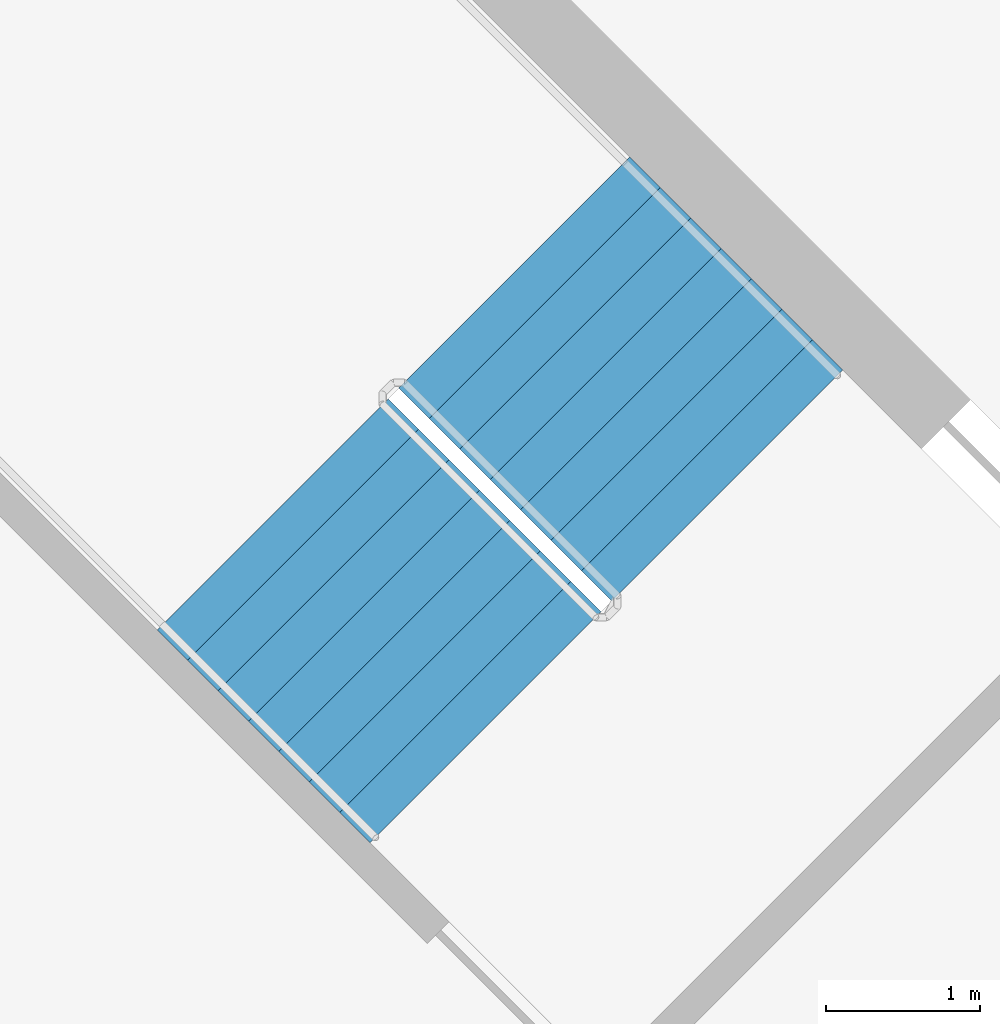
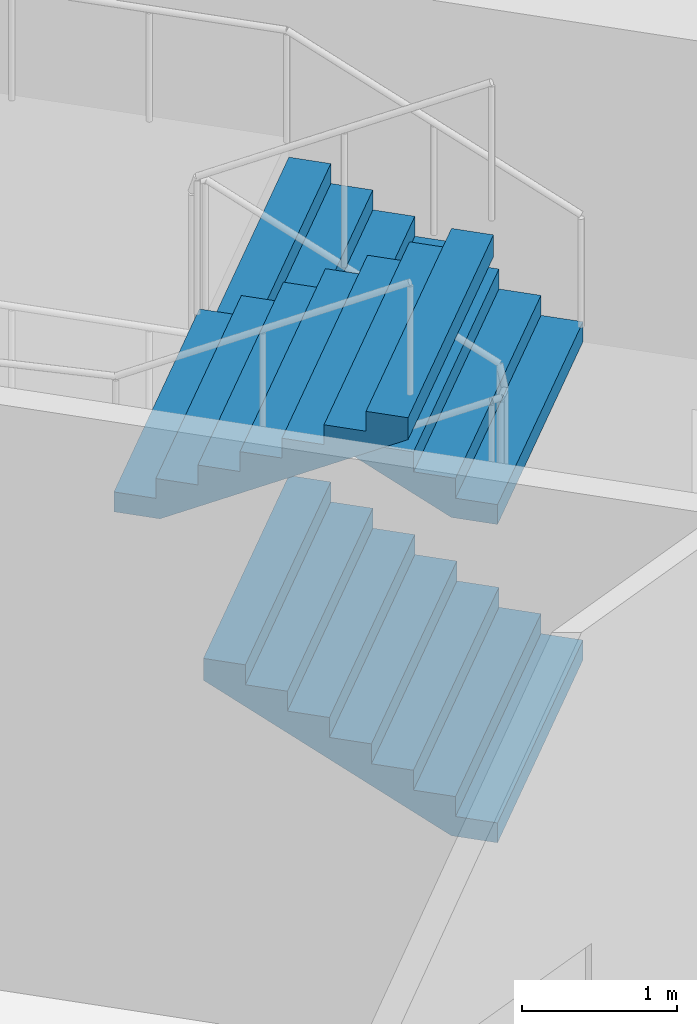
# One storey, part 17 of 19: 3 stair flights, 1 element without a shape of its own.
"""IFC4 building model written with IfcOpenShell, lengths in metres."""

from ifc_helpers import new_model, si_unit, direction, frame, origin, place, context, subcontext, project, spatial, triangles, material, type_object, element, aggregate, save


model = new_model("IFC4")

# Units and contexts
model_context = context("Model", 3, precision=1e-05, world=origin(), true_north=direction((0.0, 1.0)))
body_context = subcontext(model_context, "Body", "Model", "MODEL_VIEW")
ifc_project = project(units=[si_unit("LENGTHUNIT", "METRE"), si_unit("AREAUNIT", "SQUARE_METRE"), si_unit("VOLUMEUNIT", "CUBIC_METRE"), si_unit("PLANEANGLEUNIT", "RADIAN"), si_unit("MASSUNIT", "GRAM", prefix="KILO")], contexts=[model_context])

# Site, building, storey
site_placement = place(None, origin())
site = spatial("IfcSite", under=ifc_project, at=site_placement, CompositionType="ELEMENT")
building_placement = place(site_placement, origin())
building = spatial("IfcBuilding", under=site, at=building_placement, Name="Verdalira Terraces Hotel", CompositionType="ELEMENT")
storey_placement = place(building_placement, frame((0.0, 0.0, 310.0)))
storey = spatial("IfcBuildingStorey", under=building, at=storey_placement, Name="L77", CompositionType="ELEMENT", Elevation=310.0)

# Stair, stair flights
ifc_material_1 = material(Name="Concrete C40", Category="concrete")
stair_type = type_object("IfcStairType", Name="Core stair 32 risers 2125 mm wide", PredefinedType="HALF_TURN_STAIR", material=ifc_material_1)
stair_placement = place(storey_placement, origin())
stair = element("IfcStair", 1, at=stair_placement, inside=storey, type_object=stair_type, Name="L77 Exit stair ST1", PredefinedType="HALF_TURN_STAIR")
ifc_material_2 = material(Name="Concrete C40", Category="concrete")
stair_flight_type = type_object("IfcStairFlightType", Name="Core stair flight 32 risers 2125 mm wide", PredefinedType="STRAIGHT", material=ifc_material_2)
stair_flight_1_placement = place(storey_placement, frame((10.085205, 7.574951, 0.0), z_axis=(0.0, 0.0, 1.0), x_axis=(-0.707106781, 0.707106781, 0.0)))
stair_flight_1 = element("IfcStairFlight", 2, at=stair_flight_1_placement, type_object=stair_flight_type, Name="ST1 flight 1", NumberOfRisers=8, NumberOfTreads=7, PredefinedType="STRAIGHT", RiserHeight=0.15625, TreadLength=0.28, context=body_context, shape_type="Tessellation", body=[
    triangles([(0.0, 1.0625, 0.0), (0.307617, 1.0625, 0.0), (1.959961, 1.0625, 0.922119), (0.0, -1.0625, 0.0), (0.307617, -1.0625, 0.0), (1.959961, -1.0625, 0.922119), (1.959961, 1.0625, 1.09375), (1.679932, 1.0625, 1.09375), (1.959961, -1.0625, 1.09375), (1.679932, -1.0625, 1.09375), (1.679932, 1.0625, 0.9375), (1.679932, -1.0625, 0.9375), (1.399902, 1.0625, 0.9375), (1.399902, -1.0625, 0.9375), (1.399902, 1.0625, 0.78125), (1.399902, -1.0625, 0.78125), (1.120117, 1.0625, 0.78125), (1.120117, 1.0625, 0.625), (1.120117, -1.0625, 0.78125), (1.120117, -1.0625, 0.625), (0.840088, 1.0625, 0.625), (0.840088, 1.0625, 0.46875), (0.840088, -1.0625, 0.625), (0.840088, -1.0625, 0.46875), (0.560059, 1.0625, 0.46875), (0.560059, 1.0625, 0.3125), (0.560059, -1.0625, 0.46875), (0.560059, -1.0625, 0.3125), (0.280029, 1.0625, 0.3125), (0.280029, 1.0625, 0.15625), (0.280029, -1.0625, 0.3125), (0.280029, -1.0625, 0.15625), (0.0, 1.0625, 0.15625), (0.0, -1.0625, 0.15625), (0.0, -0.996094, 0.0), (0.0, -0.996094, 0.15625), (0.0, -0.929688, 0.0), (0.0, -0.929688, 0.15625), (0.0, -0.863281, 0.0), (0.0, -0.863281, 0.15625), (0.0, -0.796875, 0.0), (0.0, -0.796875, 0.15625), (0.0, -0.730469, 0.0), (0.0, -0.730469, 0.15625), (0.0, -0.664062, 0.0), (0.0, -0.664062, 0.15625), (0.0, -0.597656, 0.0), (0.0, -0.597656, 0.15625), (0.0, -0.53125, 0.0), (0.0, -0.53125, 0.15625), (0.0, -0.464844, 0.0), (0.0, -0.464844, 0.15625), (0.0, -0.398438, 0.0), (0.0, -0.398438, 0.15625), (0.0, -0.332031, 0.0), (0.0, -0.332031, 0.15625), (0.0, -0.265625, 0.0), (0.0, -0.265625, 0.15625), (0.0, -0.199219, 0.0), (0.0, -0.199219, 0.15625), (0.0, -0.132812, 0.0), (0.0, -0.132812, 0.15625), (0.0, -0.066406, 0.0), (0.0, -0.066406, 0.15625), (0.0, 0.0, 0.0), (0.0, 0.0, 0.15625), (0.0, 0.066406, 0.0), (0.0, 0.066406, 0.15625), (0.0, 0.132812, 0.0), (0.0, 0.132812, 0.15625), (0.0, 0.199219, 0.0), (0.0, 0.199219, 0.15625), (0.0, 0.265625, 0.0), (0.0, 0.265625, 0.15625), (0.0, 0.332031, 0.0), (0.0, 0.332031, 0.15625), (0.0, 0.398438, 0.0), (0.0, 0.398438, 0.15625), (0.0, 0.464844, 0.0), (0.0, 0.464844, 0.15625), (0.0, 0.53125, 0.0), (0.0, 0.53125, 0.15625), (0.0, 0.597656, 0.0), (0.0, 0.597656, 0.15625), (0.0, 0.664062, 0.0), (0.0, 0.664062, 0.15625), (0.0, 0.730469, 0.0), (0.0, 0.730469, 0.15625), (0.0, 0.796875, 0.0), (0.0, 0.796875, 0.15625), (0.0, 0.863281, 0.0), (0.0, 0.863281, 0.15625), (0.0, 0.929688, 0.0), (0.0, 0.929688, 0.15625), (0.0, 0.996094, 0.0), (0.0, 0.996094, 0.15625), (1.959961, -0.996094, 1.09375), (1.959961, -0.929688, 1.09375), (1.959961, -0.863281, 1.09375), (1.959961, -0.796875, 1.09375), (1.959961, -0.730469, 1.09375), (1.959961, -0.664062, 1.09375), (1.959961, -0.597656, 1.09375), (1.959961, -0.53125, 1.09375), (1.959961, -0.464844, 1.09375), (1.959961, -0.398438, 1.09375), (1.959961, -0.332031, 1.09375), (1.959961, -0.265625, 1.09375), (1.959961, -0.199219, 1.09375), (1.959961, -0.132812, 1.09375), (1.959961, -0.066406, 1.09375), (1.959961, 0.0, 1.09375), (1.959961, 0.066406, 1.09375), (1.959961, 0.132812, 1.09375), (1.959961, 0.199219, 1.09375), (1.959961, 0.265625, 1.09375), (1.959961, 0.332031, 1.09375), (1.959961, 0.398438, 1.09375), (1.959961, 0.464844, 1.09375), (1.959961, 0.53125, 1.09375), (1.959961, 0.597656, 1.09375), (1.959961, 0.664062, 1.09375), (1.959961, 0.730469, 1.09375), (1.959961, 0.796875, 1.09375), (1.959961, 0.863281, 1.09375), (1.959961, 0.929688, 1.09375), (1.959961, 0.996094, 1.09375), (1.959961, -0.996094, 0.922119), (1.959961, -0.929688, 0.922119), (1.959961, -0.863281, 0.922119), (1.959961, -0.796875, 0.922119), (1.959961, -0.730469, 0.922119), (1.959961, -0.664062, 0.922119), (1.959961, -0.597656, 0.922119), (1.959961, -0.53125, 0.922119), (1.959961, -0.464844, 0.922119), (1.959961, -0.398438, 0.922119), (1.959961, -0.332031, 0.922119), (1.959961, -0.265625, 0.922119), (1.959961, -0.199219, 0.922119), (1.959961, -0.132812, 0.922119), (1.959961, -0.066406, 0.922119), (1.959961, 0.0, 0.922119), (1.959961, 0.066406, 0.922119), (1.959961, 0.132812, 0.922119), (1.959961, 0.199219, 0.922119), (1.959961, 0.265625, 0.922119), (1.959961, 0.332031, 0.922119), (1.959961, 0.398438, 0.922119), (1.959961, 0.464844, 0.922119), (1.959961, 0.53125, 0.922119), (1.959961, 0.597656, 0.922119), (1.959961, 0.664062, 0.922119), (1.959961, 0.730469, 0.922119), (1.959961, 0.796875, 0.922119), (1.959961, 0.863281, 0.922119), (1.959961, 0.929688, 0.922119), (1.959961, 0.996094, 0.922119)], [[1, 3, 2], [4, 5, 6], [3, 8, 7], [6, 9, 10], [3, 11, 8], [6, 10, 12], [3, 13, 11], [6, 12, 14], [3, 15, 13], [6, 14, 16], [15, 18, 17], [16, 19, 20], [3, 18, 15], [6, 16, 20], [18, 22, 21], [20, 23, 24], [3, 22, 18], [6, 20, 24], [22, 26, 25], [24, 27, 28], [3, 26, 22], [6, 24, 28], [26, 30, 29], [28, 31, 32], [3, 30, 26], [6, 28, 32], [1, 30, 3], [4, 6, 32], [30, 1, 33], [32, 34, 4], [4, 36, 35], [4, 34, 36], [35, 38, 37], [35, 36, 38], [37, 40, 39], [37, 38, 40], [39, 42, 41], [39, 40, 42], [41, 44, 43], [41, 42, 44], [43, 46, 45], [43, 44, 46], [45, 48, 47], [45, 46, 48], [47, 50, 49], [47, 48, 50], [49, 52, 51], [49, 50, 52], [51, 54, 53], [51, 52, 54], [53, 56, 55], [53, 54, 56], [55, 58, 57], [55, 56, 58], [57, 60, 59], [57, 58, 60], [59, 62, 61], [59, 60, 62], [61, 64, 63], [61, 62, 64], [63, 66, 65], [63, 64, 66], [65, 68, 67], [65, 66, 68], [67, 70, 69], [67, 68, 70], [69, 72, 71], [69, 70, 72], [71, 74, 73], [71, 72, 74], [73, 76, 75], [73, 74, 76], [75, 78, 77], [75, 76, 78], [77, 80, 79], [77, 78, 80], [79, 82, 81], [79, 80, 82], [81, 84, 83], [81, 82, 84], [83, 86, 85], [83, 84, 86], [85, 88, 87], [85, 86, 88], [87, 90, 89], [87, 88, 90], [89, 92, 91], [89, 90, 92], [91, 94, 93], [91, 92, 94], [93, 96, 95], [93, 94, 96], [95, 33, 1], [95, 96, 33], [34, 32, 36], [36, 32, 38], [38, 32, 40], [40, 32, 42], [42, 32, 44], [44, 32, 46], [46, 32, 48], [48, 32, 50], [50, 32, 52], [52, 32, 54], [54, 32, 56], [56, 32, 58], [58, 32, 60], [60, 32, 62], [62, 32, 64], [64, 32, 66], [66, 32, 68], [68, 32, 70], [70, 32, 72], [72, 32, 74], [74, 32, 76], [76, 32, 78], [78, 32, 80], [80, 32, 82], [82, 32, 84], [84, 32, 86], [86, 32, 88], [88, 32, 90], [90, 32, 92], [92, 32, 94], [94, 32, 96], [96, 32, 33], [33, 32, 30], [32, 29, 30], [32, 31, 29], [31, 26, 29], [31, 28, 26], [28, 25, 26], [28, 27, 25], [27, 22, 25], [27, 24, 22], [24, 21, 22], [24, 23, 21], [23, 18, 21], [23, 20, 18], [20, 17, 18], [20, 19, 17], [19, 15, 17], [19, 16, 15], [16, 13, 15], [16, 14, 13], [14, 11, 13], [14, 12, 11], [12, 8, 11], [12, 10, 8], [9, 97, 10], [97, 98, 10], [98, 99, 10], [99, 100, 10], [100, 101, 10], [101, 102, 10], [102, 103, 10], [103, 104, 10], [104, 105, 10], [105, 106, 10], [106, 107, 10], [107, 108, 10], [108, 109, 10], [109, 110, 10], [110, 111, 10], [111, 112, 10], [112, 113, 10], [113, 114, 10], [114, 115, 10], [115, 116, 10], [116, 117, 10], [117, 118, 10], [118, 119, 10], [119, 120, 10], [120, 121, 10], [121, 122, 10], [122, 123, 10], [123, 124, 10], [124, 125, 10], [125, 126, 10], [126, 127, 10], [127, 7, 10], [7, 8, 10], [9, 128, 97], [9, 6, 128], [97, 129, 98], [97, 128, 129], [98, 130, 99], [98, 129, 130], [99, 131, 100], [99, 130, 131], [100, 132, 101], [100, 131, 132], [101, 133, 102], [101, 132, 133], [102, 134, 103], [102, 133, 134], [103, 135, 104], [103, 134, 135], [104, 136, 105], [104, 135, 136], [105, 137, 106], [105, 136, 137], [106, 138, 107], [106, 137, 138], [107, 139, 108], [107, 138, 139], [108, 140, 109], [108, 139, 140], [109, 141, 110], [109, 140, 141], [110, 142, 111], [110, 141, 142], [111, 143, 112], [111, 142, 143], [112, 144, 113], [112, 143, 144], [113, 145, 114], [113, 144, 145], [114, 146, 115], [114, 145, 146], [115, 147, 116], [115, 146, 147], [116, 148, 117], [116, 147, 148], [117, 149, 118], [117, 148, 149], [118, 150, 119], [118, 149, 150], [119, 151, 120], [119, 150, 151], [120, 152, 121], [120, 151, 152], [121, 153, 122], [121, 152, 153], [122, 154, 123], [122, 153, 154], [123, 155, 124], [123, 154, 155], [124, 156, 125], [124, 155, 156], [125, 157, 126], [125, 156, 157], [126, 158, 127], [126, 157, 158], [127, 3, 7], [127, 158, 3], [6, 5, 128], [128, 5, 129], [129, 5, 130], [130, 5, 131], [131, 5, 132], [132, 5, 133], [133, 5, 134], [134, 5, 135], [135, 5, 136], [136, 5, 137], [137, 5, 138], [138, 5, 139], [139, 5, 140], [140, 5, 141], [141, 5, 142], [142, 5, 143], [143, 5, 144], [144, 5, 145], [145, 5, 146], [146, 5, 147], [147, 5, 148], [148, 5, 149], [149, 5, 150], [150, 5, 151], [151, 5, 152], [152, 5, 153], [153, 5, 154], [154, 5, 155], [155, 5, 156], [156, 5, 157], [157, 5, 158], [158, 5, 3], [3, 5, 2], [4, 35, 5], [35, 37, 5], [37, 39, 5], [39, 41, 5], [41, 43, 5], [43, 45, 5], [45, 47, 5], [47, 49, 5], [49, 51, 5], [51, 53, 5], [53, 55, 5], [55, 57, 5], [57, 59, 5], [59, 61, 5], [61, 63, 5], [63, 65, 5], [65, 67, 5], [67, 69, 5], [69, 71, 5], [71, 73, 5], [73, 75, 5], [75, 77, 5], [77, 79, 5], [79, 81, 5], [81, 83, 5], [83, 85, 5], [85, 87, 5], [87, 89, 5], [89, 91, 5], [91, 93, 5], [93, 95, 5], [95, 1, 5], [1, 2, 5]], closed=True),
])
stair_flight_2_placement = place(storey_placement, frame((10.085205, 7.574951, 2.5), z_axis=(0.0, 0.0, 1.0), x_axis=(-0.707106781, 0.707106781, 0.0)))
stair_flight_2 = element("IfcStairFlight", 3, at=stair_flight_2_placement, type_object=stair_flight_type, Name="ST1 flight 3", NumberOfRisers=8, NumberOfTreads=7, PredefinedType="STRAIGHT", RiserHeight=0.15625, TreadLength=0.28, context=body_context, shape_type="Tessellation", body=[
    triangles([(0.0, 1.0625, 0.0), (0.307617, 1.0625, 0.0), (1.959961, 1.0625, 0.922119), (0.0, -1.0625, 0.0), (0.307617, -1.0625, 0.0), (1.959961, -1.0625, 0.922119), (1.959961, 1.0625, 1.09375), (1.679932, 1.0625, 1.09375), (1.959961, -1.0625, 1.09375), (1.679932, -1.0625, 1.09375), (1.679932, 1.0625, 0.9375), (1.679932, -1.0625, 0.9375), (1.399902, 1.0625, 0.9375), (1.399902, -1.0625, 0.9375), (1.399902, 1.0625, 0.78125), (1.399902, -1.0625, 0.78125), (1.120117, 1.0625, 0.78125), (1.120117, 1.0625, 0.625), (1.120117, -1.0625, 0.78125), (1.120117, -1.0625, 0.625), (0.840088, 1.0625, 0.625), (0.840088, 1.0625, 0.46875), (0.840088, -1.0625, 0.625), (0.840088, -1.0625, 0.46875), (0.560059, 1.0625, 0.46875), (0.560059, 1.0625, 0.3125), (0.560059, -1.0625, 0.46875), (0.560059, -1.0625, 0.3125), (0.280029, 1.0625, 0.3125), (0.280029, 1.0625, 0.15625), (0.280029, -1.0625, 0.3125), (0.280029, -1.0625, 0.15625), (0.0, 1.0625, 0.15625), (0.0, -1.0625, 0.15625), (0.0, -0.996094, 0.0), (0.0, -0.996094, 0.15625), (0.0, -0.929688, 0.0), (0.0, -0.929688, 0.15625), (0.0, -0.863281, 0.0), (0.0, -0.863281, 0.15625), (0.0, -0.796875, 0.0), (0.0, -0.796875, 0.15625), (0.0, -0.730469, 0.0), (0.0, -0.730469, 0.15625), (0.0, -0.664062, 0.0), (0.0, -0.664062, 0.15625), (0.0, -0.597656, 0.0), (0.0, -0.597656, 0.15625), (0.0, -0.53125, 0.0), (0.0, -0.53125, 0.15625), (0.0, -0.464844, 0.0), (0.0, -0.464844, 0.15625), (0.0, -0.398438, 0.0), (0.0, -0.398438, 0.15625), (0.0, -0.332031, 0.0), (0.0, -0.332031, 0.15625), (0.0, -0.265625, 0.0), (0.0, -0.265625, 0.15625), (0.0, -0.199219, 0.0), (0.0, -0.199219, 0.15625), (0.0, -0.132812, 0.0), (0.0, -0.132812, 0.15625), (0.0, -0.066406, 0.0), (0.0, -0.066406, 0.15625), (0.0, 0.0, 0.0), (0.0, 0.0, 0.15625), (0.0, 0.066406, 0.0), (0.0, 0.066406, 0.15625), (0.0, 0.132812, 0.0), (0.0, 0.132812, 0.15625), (0.0, 0.199219, 0.0), (0.0, 0.199219, 0.15625), (0.0, 0.265625, 0.0), (0.0, 0.265625, 0.15625), (0.0, 0.332031, 0.0), (0.0, 0.332031, 0.15625), (0.0, 0.398438, 0.0), (0.0, 0.398438, 0.15625), (0.0, 0.464844, 0.0), (0.0, 0.464844, 0.15625), (0.0, 0.53125, 0.0), (0.0, 0.53125, 0.15625), (0.0, 0.597656, 0.0), (0.0, 0.597656, 0.15625), (0.0, 0.664062, 0.0), (0.0, 0.664062, 0.15625), (0.0, 0.730469, 0.0), (0.0, 0.730469, 0.15625), (0.0, 0.796875, 0.0), (0.0, 0.796875, 0.15625), (0.0, 0.863281, 0.0), (0.0, 0.863281, 0.15625), (0.0, 0.929688, 0.0), (0.0, 0.929688, 0.15625), (0.0, 0.996094, 0.0), (0.0, 0.996094, 0.15625), (1.959961, -0.996094, 1.09375), (1.959961, -0.929688, 1.09375), (1.959961, -0.863281, 1.09375), (1.959961, -0.796875, 1.09375), (1.959961, -0.730469, 1.09375), (1.959961, -0.664062, 1.09375), (1.959961, -0.597656, 1.09375), (1.959961, -0.53125, 1.09375), (1.959961, -0.464844, 1.09375), (1.959961, -0.398438, 1.09375), (1.959961, -0.332031, 1.09375), (1.959961, -0.265625, 1.09375), (1.959961, -0.199219, 1.09375), (1.959961, -0.132812, 1.09375), (1.959961, -0.066406, 1.09375), (1.959961, 0.0, 1.09375), (1.959961, 0.066406, 1.09375), (1.959961, 0.132812, 1.09375), (1.959961, 0.199219, 1.09375), (1.959961, 0.265625, 1.09375), (1.959961, 0.332031, 1.09375), (1.959961, 0.398438, 1.09375), (1.959961, 0.464844, 1.09375), (1.959961, 0.53125, 1.09375), (1.959961, 0.597656, 1.09375), (1.959961, 0.664062, 1.09375), (1.959961, 0.730469, 1.09375), (1.959961, 0.796875, 1.09375), (1.959961, 0.863281, 1.09375), (1.959961, 0.929688, 1.09375), (1.959961, 0.996094, 1.09375), (1.959961, -0.996094, 0.922119), (1.959961, -0.929688, 0.922119), (1.959961, -0.863281, 0.922119), (1.959961, -0.796875, 0.922119), (1.959961, -0.730469, 0.922119), (1.959961, -0.664062, 0.922119), (1.959961, -0.597656, 0.922119), (1.959961, -0.53125, 0.922119), (1.959961, -0.464844, 0.922119), (1.959961, -0.398438, 0.922119), (1.959961, -0.332031, 0.922119), (1.959961, -0.265625, 0.922119), (1.959961, -0.199219, 0.922119), (1.959961, -0.132812, 0.922119), (1.959961, -0.066406, 0.922119), (1.959961, 0.0, 0.922119), (1.959961, 0.066406, 0.922119), (1.959961, 0.132812, 0.922119), (1.959961, 0.199219, 0.922119), (1.959961, 0.265625, 0.922119), (1.959961, 0.332031, 0.922119), (1.959961, 0.398438, 0.922119), (1.959961, 0.464844, 0.922119), (1.959961, 0.53125, 0.922119), (1.959961, 0.597656, 0.922119), (1.959961, 0.664062, 0.922119), (1.959961, 0.730469, 0.922119), (1.959961, 0.796875, 0.922119), (1.959961, 0.863281, 0.922119), (1.959961, 0.929688, 0.922119), (1.959961, 0.996094, 0.922119)], [[1, 3, 2], [4, 5, 6], [3, 8, 7], [6, 9, 10], [3, 11, 8], [6, 10, 12], [3, 13, 11], [6, 12, 14], [3, 15, 13], [6, 14, 16], [15, 18, 17], [16, 19, 20], [3, 18, 15], [6, 16, 20], [18, 22, 21], [20, 23, 24], [3, 22, 18], [6, 20, 24], [22, 26, 25], [24, 27, 28], [3, 26, 22], [6, 24, 28], [26, 30, 29], [28, 31, 32], [3, 30, 26], [6, 28, 32], [1, 30, 3], [4, 6, 32], [30, 1, 33], [32, 34, 4], [4, 36, 35], [4, 34, 36], [35, 38, 37], [35, 36, 38], [37, 40, 39], [37, 38, 40], [39, 42, 41], [39, 40, 42], [41, 44, 43], [41, 42, 44], [43, 46, 45], [43, 44, 46], [45, 48, 47], [45, 46, 48], [47, 50, 49], [47, 48, 50], [49, 52, 51], [49, 50, 52], [51, 54, 53], [51, 52, 54], [53, 56, 55], [53, 54, 56], [55, 58, 57], [55, 56, 58], [57, 60, 59], [57, 58, 60], [59, 62, 61], [59, 60, 62], [61, 64, 63], [61, 62, 64], [63, 66, 65], [63, 64, 66], [65, 68, 67], [65, 66, 68], [67, 70, 69], [67, 68, 70], [69, 72, 71], [69, 70, 72], [71, 74, 73], [71, 72, 74], [73, 76, 75], [73, 74, 76], [75, 78, 77], [75, 76, 78], [77, 80, 79], [77, 78, 80], [79, 82, 81], [79, 80, 82], [81, 84, 83], [81, 82, 84], [83, 86, 85], [83, 84, 86], [85, 88, 87], [85, 86, 88], [87, 90, 89], [87, 88, 90], [89, 92, 91], [89, 90, 92], [91, 94, 93], [91, 92, 94], [93, 96, 95], [93, 94, 96], [95, 33, 1], [95, 96, 33], [34, 32, 36], [36, 32, 38], [38, 32, 40], [40, 32, 42], [42, 32, 44], [44, 32, 46], [46, 32, 48], [48, 32, 50], [50, 32, 52], [52, 32, 54], [54, 32, 56], [56, 32, 58], [58, 32, 60], [60, 32, 62], [62, 32, 64], [64, 32, 66], [66, 32, 68], [68, 32, 70], [70, 32, 72], [72, 32, 74], [74, 32, 76], [76, 32, 78], [78, 32, 80], [80, 32, 82], [82, 32, 84], [84, 32, 86], [86, 32, 88], [88, 32, 90], [90, 32, 92], [92, 32, 94], [94, 32, 96], [96, 32, 33], [33, 32, 30], [32, 29, 30], [32, 31, 29], [31, 26, 29], [31, 28, 26], [28, 25, 26], [28, 27, 25], [27, 22, 25], [27, 24, 22], [24, 21, 22], [24, 23, 21], [23, 18, 21], [23, 20, 18], [20, 17, 18], [20, 19, 17], [19, 15, 17], [19, 16, 15], [16, 13, 15], [16, 14, 13], [14, 11, 13], [14, 12, 11], [12, 8, 11], [12, 10, 8], [9, 97, 10], [97, 98, 10], [98, 99, 10], [99, 100, 10], [100, 101, 10], [101, 102, 10], [102, 103, 10], [103, 104, 10], [104, 105, 10], [105, 106, 10], [106, 107, 10], [107, 108, 10], [108, 109, 10], [109, 110, 10], [110, 111, 10], [111, 112, 10], [112, 113, 10], [113, 114, 10], [114, 115, 10], [115, 116, 10], [116, 117, 10], [117, 118, 10], [118, 119, 10], [119, 120, 10], [120, 121, 10], [121, 122, 10], [122, 123, 10], [123, 124, 10], [124, 125, 10], [125, 126, 10], [126, 127, 10], [127, 7, 10], [7, 8, 10], [9, 128, 97], [9, 6, 128], [97, 129, 98], [97, 128, 129], [98, 130, 99], [98, 129, 130], [99, 131, 100], [99, 130, 131], [100, 132, 101], [100, 131, 132], [101, 133, 102], [101, 132, 133], [102, 134, 103], [102, 133, 134], [103, 135, 104], [103, 134, 135], [104, 136, 105], [104, 135, 136], [105, 137, 106], [105, 136, 137], [106, 138, 107], [106, 137, 138], [107, 139, 108], [107, 138, 139], [108, 140, 109], [108, 139, 140], [109, 141, 110], [109, 140, 141], [110, 142, 111], [110, 141, 142], [111, 143, 112], [111, 142, 143], [112, 144, 113], [112, 143, 144], [113, 145, 114], [113, 144, 145], [114, 146, 115], [114, 145, 146], [115, 147, 116], [115, 146, 147], [116, 148, 117], [116, 147, 148], [117, 149, 118], [117, 148, 149], [118, 150, 119], [118, 149, 150], [119, 151, 120], [119, 150, 151], [120, 152, 121], [120, 151, 152], [121, 153, 122], [121, 152, 153], [122, 154, 123], [122, 153, 154], [123, 155, 124], [123, 154, 155], [124, 156, 125], [124, 155, 156], [125, 157, 126], [125, 156, 157], [126, 158, 127], [126, 157, 158], [127, 3, 7], [127, 158, 3], [6, 5, 128], [128, 5, 129], [129, 5, 130], [130, 5, 131], [131, 5, 132], [132, 5, 133], [133, 5, 134], [134, 5, 135], [135, 5, 136], [136, 5, 137], [137, 5, 138], [138, 5, 139], [139, 5, 140], [140, 5, 141], [141, 5, 142], [142, 5, 143], [143, 5, 144], [144, 5, 145], [145, 5, 146], [146, 5, 147], [147, 5, 148], [148, 5, 149], [149, 5, 150], [150, 5, 151], [151, 5, 152], [152, 5, 153], [153, 5, 154], [154, 5, 155], [155, 5, 156], [156, 5, 157], [157, 5, 158], [158, 5, 3], [3, 5, 2], [4, 35, 5], [35, 37, 5], [37, 39, 5], [39, 41, 5], [41, 43, 5], [43, 45, 5], [45, 47, 5], [47, 49, 5], [49, 51, 5], [51, 53, 5], [53, 55, 5], [55, 57, 5], [57, 59, 5], [59, 61, 5], [61, 63, 5], [63, 65, 5], [65, 67, 5], [67, 69, 5], [69, 71, 5], [71, 73, 5], [73, 75, 5], [75, 77, 5], [77, 79, 5], [79, 81, 5], [81, 83, 5], [83, 85, 5], [85, 87, 5], [87, 89, 5], [89, 91, 5], [91, 93, 5], [93, 95, 5], [95, 1, 5], [1, 2, 5]], closed=True),
])
stair_flight_3_placement = place(storey_placement, frame((7.125977, 7.387451, 3.75), z_axis=(0.0, 0.0, 1.0), x_axis=(0.707106781, -0.707106781, 0.0)))
stair_flight_3 = element("IfcStairFlight", 4, at=stair_flight_3_placement, type_object=stair_flight_type, Name="ST1 flight 4", NumberOfRisers=8, NumberOfTreads=7, PredefinedType="STRAIGHT", RiserHeight=0.15625, TreadLength=0.28, context=body_context, shape_type="Tessellation", body=[
    triangles([(0.0, 1.0625, 0.0), (0.307617, 1.0625, 0.0), (1.959961, 1.0625, 0.922119), (0.0, -1.0625, 0.0), (0.307617, -1.0625, 0.0), (1.959961, -1.0625, 0.922119), (1.959961, 1.0625, 1.09375), (1.679932, 1.0625, 1.09375), (1.959961, -1.0625, 1.09375), (1.679932, -1.0625, 1.09375), (1.679932, 1.0625, 0.9375), (1.679932, -1.0625, 0.9375), (1.399902, 1.0625, 0.9375), (1.399902, -1.0625, 0.9375), (1.399902, 1.0625, 0.78125), (1.399902, -1.0625, 0.78125), (1.120117, 1.0625, 0.78125), (1.120117, 1.0625, 0.625), (1.120117, -1.0625, 0.78125), (1.120117, -1.0625, 0.625), (0.840088, 1.0625, 0.625), (0.840088, 1.0625, 0.46875), (0.840088, -1.0625, 0.625), (0.840088, -1.0625, 0.46875), (0.560059, 1.0625, 0.46875), (0.560059, 1.0625, 0.3125), (0.560059, -1.0625, 0.46875), (0.560059, -1.0625, 0.3125), (0.280029, 1.0625, 0.3125), (0.280029, 1.0625, 0.15625), (0.280029, -1.0625, 0.3125), (0.280029, -1.0625, 0.15625), (0.0, 1.0625, 0.15625), (0.0, -1.0625, 0.15625), (0.0, -0.996094, 0.0), (0.0, -0.996094, 0.15625), (0.0, -0.929688, 0.0), (0.0, -0.929688, 0.15625), (0.0, -0.863281, 0.0), (0.0, -0.863281, 0.15625), (0.0, -0.796875, 0.0), (0.0, -0.796875, 0.15625), (0.0, -0.730469, 0.0), (0.0, -0.730469, 0.15625), (0.0, -0.664062, 0.0), (0.0, -0.664062, 0.15625), (0.0, -0.597656, 0.0), (0.0, -0.597656, 0.15625), (0.0, -0.53125, 0.0), (0.0, -0.53125, 0.15625), (0.0, -0.464844, 0.0), (0.0, -0.464844, 0.15625), (0.0, -0.398438, 0.0), (0.0, -0.398438, 0.15625), (0.0, -0.332031, 0.0), (0.0, -0.332031, 0.15625), (0.0, -0.265625, 0.0), (0.0, -0.265625, 0.15625), (0.0, -0.199219, 0.0), (0.0, -0.199219, 0.15625), (0.0, -0.132812, 0.0), (0.0, -0.132812, 0.15625), (0.0, -0.066406, 0.0), (0.0, -0.066406, 0.15625), (0.0, 0.0, 0.0), (0.0, 0.0, 0.15625), (0.0, 0.066406, 0.0), (0.0, 0.066406, 0.15625), (0.0, 0.132812, 0.0), (0.0, 0.132812, 0.15625), (0.0, 0.199219, 0.0), (0.0, 0.199219, 0.15625), (0.0, 0.265625, 0.0), (0.0, 0.265625, 0.15625), (0.0, 0.332031, 0.0), (0.0, 0.332031, 0.15625), (0.0, 0.398438, 0.0), (0.0, 0.398438, 0.15625), (0.0, 0.464844, 0.0), (0.0, 0.464844, 0.15625), (0.0, 0.53125, 0.0), (0.0, 0.53125, 0.15625), (0.0, 0.597656, 0.0), (0.0, 0.597656, 0.15625), (0.0, 0.664062, 0.0), (0.0, 0.664062, 0.15625), (0.0, 0.730469, 0.0), (0.0, 0.730469, 0.15625), (0.0, 0.796875, 0.0), (0.0, 0.796875, 0.15625), (0.0, 0.863281, 0.0), (0.0, 0.863281, 0.15625), (0.0, 0.929688, 0.0), (0.0, 0.929688, 0.15625), (0.0, 0.996094, 0.0), (0.0, 0.996094, 0.15625), (1.959961, -0.996094, 1.09375), (1.959961, -0.929688, 1.09375), (1.959961, -0.863281, 1.09375), (1.959961, -0.796875, 1.09375), (1.959961, -0.730469, 1.09375), (1.959961, -0.664062, 1.09375), (1.959961, -0.597656, 1.09375), (1.959961, -0.53125, 1.09375), (1.959961, -0.464844, 1.09375), (1.959961, -0.398438, 1.09375), (1.959961, -0.332031, 1.09375), (1.959961, -0.265625, 1.09375), (1.959961, -0.199219, 1.09375), (1.959961, -0.132812, 1.09375), (1.959961, -0.066406, 1.09375), (1.959961, 0.0, 1.09375), (1.959961, 0.066406, 1.09375), (1.959961, 0.132812, 1.09375), (1.959961, 0.199219, 1.09375), (1.959961, 0.265625, 1.09375), (1.959961, 0.332031, 1.09375), (1.959961, 0.398438, 1.09375), (1.959961, 0.464844, 1.09375), (1.959961, 0.53125, 1.09375), (1.959961, 0.597656, 1.09375), (1.959961, 0.664062, 1.09375), (1.959961, 0.730469, 1.09375), (1.959961, 0.796875, 1.09375), (1.959961, 0.863281, 1.09375), (1.959961, 0.929688, 1.09375), (1.959961, 0.996094, 1.09375), (1.959961, -0.996094, 0.922119), (1.959961, -0.929688, 0.922119), (1.959961, -0.863281, 0.922119), (1.959961, -0.796875, 0.922119), (1.959961, -0.730469, 0.922119), (1.959961, -0.664062, 0.922119), (1.959961, -0.597656, 0.922119), (1.959961, -0.53125, 0.922119), (1.959961, -0.464844, 0.922119), (1.959961, -0.398438, 0.922119), (1.959961, -0.332031, 0.922119), (1.959961, -0.265625, 0.922119), (1.959961, -0.199219, 0.922119), (1.959961, -0.132812, 0.922119), (1.959961, -0.066406, 0.922119), (1.959961, 0.0, 0.922119), (1.959961, 0.066406, 0.922119), (1.959961, 0.132812, 0.922119), (1.959961, 0.199219, 0.922119), (1.959961, 0.265625, 0.922119), (1.959961, 0.332031, 0.922119), (1.959961, 0.398438, 0.922119), (1.959961, 0.464844, 0.922119), (1.959961, 0.53125, 0.922119), (1.959961, 0.597656, 0.922119), (1.959961, 0.664062, 0.922119), (1.959961, 0.730469, 0.922119), (1.959961, 0.796875, 0.922119), (1.959961, 0.863281, 0.922119), (1.959961, 0.929688, 0.922119), (1.959961, 0.996094, 0.922119)], [[1, 3, 2], [4, 5, 6], [3, 8, 7], [6, 9, 10], [3, 11, 8], [6, 10, 12], [3, 13, 11], [6, 12, 14], [3, 15, 13], [6, 14, 16], [15, 18, 17], [16, 19, 20], [3, 18, 15], [6, 16, 20], [18, 22, 21], [20, 23, 24], [3, 22, 18], [6, 20, 24], [22, 26, 25], [24, 27, 28], [3, 26, 22], [6, 24, 28], [26, 30, 29], [28, 31, 32], [3, 30, 26], [6, 28, 32], [1, 30, 3], [4, 6, 32], [30, 1, 33], [32, 34, 4], [4, 36, 35], [4, 34, 36], [35, 38, 37], [35, 36, 38], [37, 40, 39], [37, 38, 40], [39, 42, 41], [39, 40, 42], [41, 44, 43], [41, 42, 44], [43, 46, 45], [43, 44, 46], [45, 48, 47], [45, 46, 48], [47, 50, 49], [47, 48, 50], [49, 52, 51], [49, 50, 52], [51, 54, 53], [51, 52, 54], [53, 56, 55], [53, 54, 56], [55, 58, 57], [55, 56, 58], [57, 60, 59], [57, 58, 60], [59, 62, 61], [59, 60, 62], [61, 64, 63], [61, 62, 64], [63, 66, 65], [63, 64, 66], [65, 68, 67], [65, 66, 68], [67, 70, 69], [67, 68, 70], [69, 72, 71], [69, 70, 72], [71, 74, 73], [71, 72, 74], [73, 76, 75], [73, 74, 76], [75, 78, 77], [75, 76, 78], [77, 80, 79], [77, 78, 80], [79, 82, 81], [79, 80, 82], [81, 84, 83], [81, 82, 84], [83, 86, 85], [83, 84, 86], [85, 88, 87], [85, 86, 88], [87, 90, 89], [87, 88, 90], [89, 92, 91], [89, 90, 92], [91, 94, 93], [91, 92, 94], [93, 96, 95], [93, 94, 96], [95, 33, 1], [95, 96, 33], [34, 32, 36], [36, 32, 38], [38, 32, 40], [40, 32, 42], [42, 32, 44], [44, 32, 46], [46, 32, 48], [48, 32, 50], [50, 32, 52], [52, 32, 54], [54, 32, 56], [56, 32, 58], [58, 32, 60], [60, 32, 62], [62, 32, 64], [64, 32, 66], [66, 32, 68], [68, 32, 70], [70, 32, 72], [72, 32, 74], [74, 32, 76], [76, 32, 78], [78, 32, 80], [80, 32, 82], [82, 32, 84], [84, 32, 86], [86, 32, 88], [88, 32, 90], [90, 32, 92], [92, 32, 94], [94, 32, 96], [96, 32, 33], [33, 32, 30], [32, 29, 30], [32, 31, 29], [31, 26, 29], [31, 28, 26], [28, 25, 26], [28, 27, 25], [27, 22, 25], [27, 24, 22], [24, 21, 22], [24, 23, 21], [23, 18, 21], [23, 20, 18], [20, 17, 18], [20, 19, 17], [19, 15, 17], [19, 16, 15], [16, 13, 15], [16, 14, 13], [14, 11, 13], [14, 12, 11], [12, 8, 11], [12, 10, 8], [9, 97, 10], [97, 98, 10], [98, 99, 10], [99, 100, 10], [100, 101, 10], [101, 102, 10], [102, 103, 10], [103, 104, 10], [104, 105, 10], [105, 106, 10], [106, 107, 10], [107, 108, 10], [108, 109, 10], [109, 110, 10], [110, 111, 10], [111, 112, 10], [112, 113, 10], [113, 114, 10], [114, 115, 10], [115, 116, 10], [116, 117, 10], [117, 118, 10], [118, 119, 10], [119, 120, 10], [120, 121, 10], [121, 122, 10], [122, 123, 10], [123, 124, 10], [124, 125, 10], [125, 126, 10], [126, 127, 10], [127, 7, 10], [7, 8, 10], [9, 128, 97], [9, 6, 128], [97, 129, 98], [97, 128, 129], [98, 130, 99], [98, 129, 130], [99, 131, 100], [99, 130, 131], [100, 132, 101], [100, 131, 132], [101, 133, 102], [101, 132, 133], [102, 134, 103], [102, 133, 134], [103, 135, 104], [103, 134, 135], [104, 136, 105], [104, 135, 136], [105, 137, 106], [105, 136, 137], [106, 138, 107], [106, 137, 138], [107, 139, 108], [107, 138, 139], [108, 140, 109], [108, 139, 140], [109, 141, 110], [109, 140, 141], [110, 142, 111], [110, 141, 142], [111, 143, 112], [111, 142, 143], [112, 144, 113], [112, 143, 144], [113, 145, 114], [113, 144, 145], [114, 146, 115], [114, 145, 146], [115, 147, 116], [115, 146, 147], [116, 148, 117], [116, 147, 148], [117, 149, 118], [117, 148, 149], [118, 150, 119], [118, 149, 150], [119, 151, 120], [119, 150, 151], [120, 152, 121], [120, 151, 152], [121, 153, 122], [121, 152, 153], [122, 154, 123], [122, 153, 154], [123, 155, 124], [123, 154, 155], [124, 156, 125], [124, 155, 156], [125, 157, 126], [125, 156, 157], [126, 158, 127], [126, 157, 158], [127, 3, 7], [127, 158, 3], [6, 5, 128], [128, 5, 129], [129, 5, 130], [130, 5, 131], [131, 5, 132], [132, 5, 133], [133, 5, 134], [134, 5, 135], [135, 5, 136], [136, 5, 137], [137, 5, 138], [138, 5, 139], [139, 5, 140], [140, 5, 141], [141, 5, 142], [142, 5, 143], [143, 5, 144], [144, 5, 145], [145, 5, 146], [146, 5, 147], [147, 5, 148], [148, 5, 149], [149, 5, 150], [150, 5, 151], [151, 5, 152], [152, 5, 153], [153, 5, 154], [154, 5, 155], [155, 5, 156], [156, 5, 157], [157, 5, 158], [158, 5, 3], [3, 5, 2], [4, 35, 5], [35, 37, 5], [37, 39, 5], [39, 41, 5], [41, 43, 5], [43, 45, 5], [45, 47, 5], [47, 49, 5], [49, 51, 5], [51, 53, 5], [53, 55, 5], [55, 57, 5], [57, 59, 5], [59, 61, 5], [61, 63, 5], [63, 65, 5], [65, 67, 5], [67, 69, 5], [69, 71, 5], [71, 73, 5], [73, 75, 5], [75, 77, 5], [77, 79, 5], [79, 81, 5], [81, 83, 5], [83, 85, 5], [85, 87, 5], [87, 89, 5], [89, 91, 5], [91, 93, 5], [93, 95, 5], [95, 1, 5], [1, 2, 5]], closed=True),
])
aggregate(stair, [stair_flight_1, stair_flight_2, stair_flight_3])

save(model, "model.ifc")
